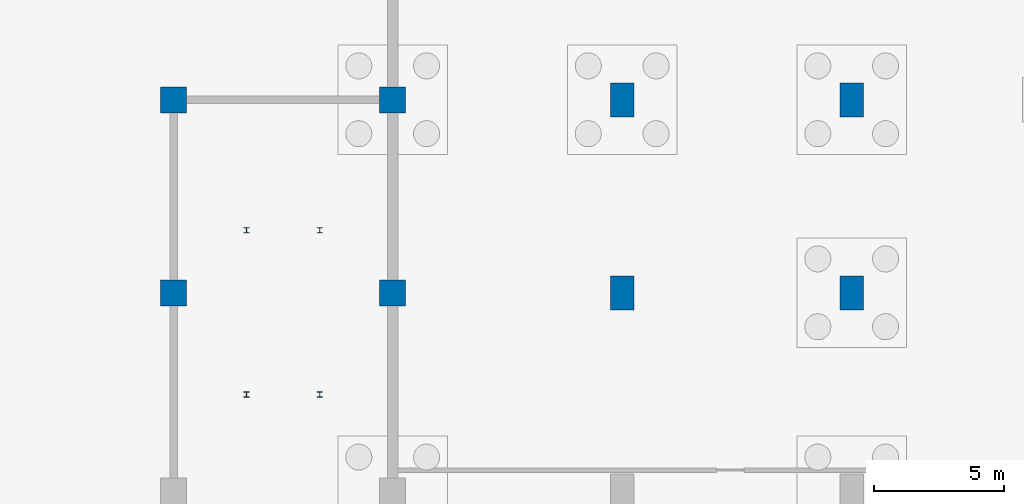
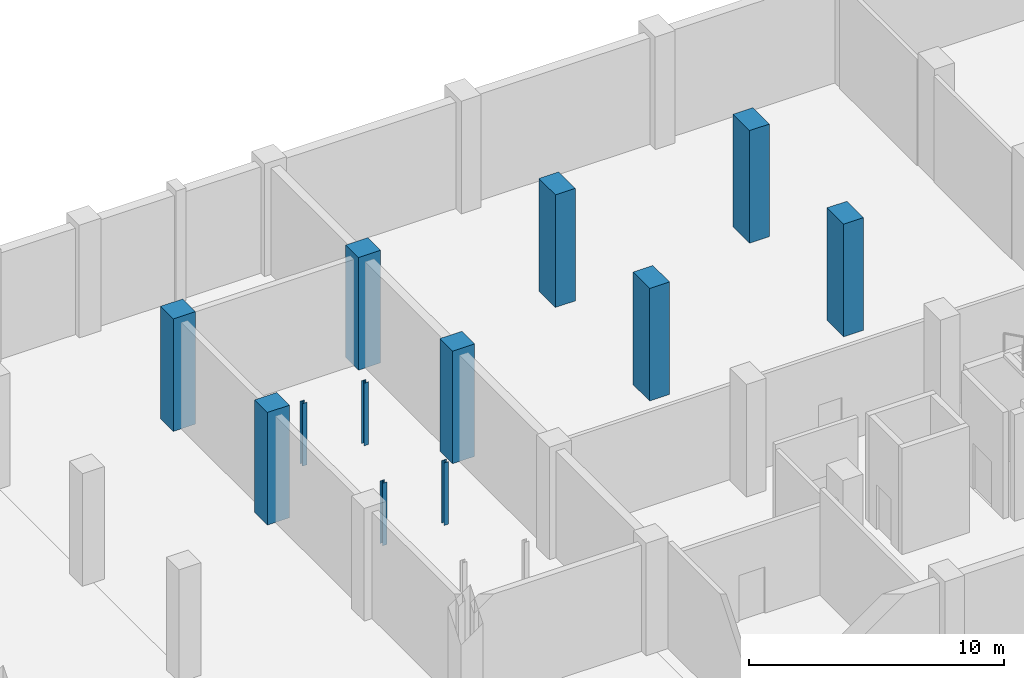
# One storey, part 6 of 20: 12 columns.
"""IFC4 building model written with IfcOpenShell, lengths in metres."""

from ifc_helpers import new_model, si_unit, direction, frame, origin, origin_2d, place, context, subcontext, project, spatial, rectangle, i_section, extrude, material, material_profile, profile_set, type_object, element, save


model = new_model("IFC4")

# Units and contexts
model_context = context("Model", 3, precision=1e-05, world=origin(), true_north=direction((0.0, 1.0)))
body_context = subcontext(model_context, "Body", "Model", "MODEL_VIEW")
ifc_project = project(units=[si_unit("LENGTHUNIT", "METRE"), si_unit("AREAUNIT", "SQUARE_METRE"), si_unit("VOLUMEUNIT", "CUBIC_METRE"), si_unit("PLANEANGLEUNIT", "RADIAN"), si_unit("MASSUNIT", "GRAM", prefix="KILO")], contexts=[model_context])

# Site, building, storey
site_placement = place(None, origin())
site = spatial("IfcSite", under=ifc_project, at=site_placement, CompositionType="ELEMENT")
building_placement = place(site_placement, origin())
building = spatial("IfcBuilding", under=site, at=building_placement, Name="Shengluoqiao Park Theatre", CompositionType="ELEMENT")
storey_placement = place(building_placement, frame((0.0, 0.0, -5.39990234375)))
storey = spatial("IfcBuildingStorey", under=building, at=storey_placement, Name="B1", CompositionType="ELEMENT", Elevation=-5.39990234375)

# Columns
ifc_material_1 = material(Name="Steel Q355", Category="steel")
ifc_material_profile_1 = material_profile(ifc_material_1, i_section(OverallWidth=0.2041015625, OverallDepth=0.199951171875, WebThickness=0.011962890625, FlangeThickness=0.011962890625, FilletRadius=0.012939453125, at=origin_2d()), Name="HW 200x204x12x12")
ifc_profile_set_1 = profile_set([ifc_material_profile_1], Name="Steel Q355")
column_type_1 = type_object("IfcColumnType", Name="STR-COL-C-HW204", PredefinedType="COLUMN", material=ifc_profile_set_1)
for number, where, z_axis, x_axis, name in (
    (1, (80.800048828125, 95.300048828125, 0.0), (0.0, 0.0, 1.0), (1.0, 0.0, 0.0), "Pit Support Column 0886"),
    (2, (80.800048828125, 101.60009765625, 0.0), (0.0, 0.0, 1.0), (1.0, 0.0, 0.0), "Pit Support Column 0887"),
    (3, (83.60009765625, 95.300048828125, 0.0), (0.0, 0.0, 1.0), (1.0, 0.0, 0.0), "Pit Support Column 0889"),
    (4, (83.60009765625, 101.60009765625, 0.0), (0.0, 0.0, 1.0), (1.0, 0.0, 0.0), "Pit Support Column 0890"),
):
    element("IfcColumn", number, at=place(storey_placement, frame(where, z_axis=z_axis, x_axis=x_axis)), inside=storey, type_object=column_type_1, Name=name, PredefinedType="COLUMN", context=body_context, shape_type="SweptSolid", body=[
        extrude(i_section(OverallWidth=0.2041015625, OverallDepth=0.199951171875, WebThickness=0.011962890625, FlangeThickness=0.011962890625, FilletRadius=0.012939453125, at=origin_2d()), origin(), (0.0, 0.0, 1.0), 3.0),
    ])
ifc_material_2 = material(Name="Concrete C50", Category="concrete")
ifc_material_profile_2 = material_profile(ifc_material_2, rectangle(XDim=1.0, YDim=1.0, at=origin_2d()), Name="RC 1000x1000")
ifc_profile_set_2 = profile_set([ifc_material_profile_2], Name="Concrete C50")
column_type_2 = type_object("IfcColumnType", Name="STR-COL-C-RC1000", PredefinedType="COLUMN", material=ifc_profile_set_2)
for number, where, z_axis, x_axis, name in (
    (5, (78.0, 99.199951171875, 0.0), (0.0, 0.0, 1.0), (1.0, 0.0, 0.0), "B1 Column 0398"),
    (6, (78.0, 106.60009765625, 0.0), (0.0, 0.0, 1.0), (1.0, 0.0, 0.0), "B1 Column 0399"),
    (7, (86.39990234375, 99.199951171875, 0.0), (0.0, 0.0, 1.0), (1.0, 0.0, 0.0), "B1 Column 0442"),
    (8, (86.39990234375, 106.60009765625, 0.0), (0.0, 0.0, 1.0), (1.0, 0.0, 0.0), "B1 Column 0443"),
):
    element("IfcColumn", number, at=place(storey_placement, frame(where, z_axis=z_axis, x_axis=x_axis)), inside=storey, type_object=column_type_2, Name=name, PredefinedType="COLUMN", context=body_context, shape_type="SweptSolid", body=[
        extrude(rectangle(XDim=1.0, YDim=1.0, at=origin_2d()), origin(), (0.0, 0.0, 1.0), 5.39990234375),
    ])
ifc_material_profile_3 = material_profile(ifc_material_2, rectangle(XDim=0.89990234375, YDim=1.300048828125, at=origin_2d()), Name="RC 900x1300")
ifc_profile_set_3 = profile_set([ifc_material_profile_3], Name="Concrete C50")
column_type_3 = type_object("IfcColumnType", Name="STR-COL-C-RC9013", PredefinedType="COLUMN", material=ifc_profile_set_3)
for number, where, z_axis, x_axis, name in (
    (9, (95.199951171875, 99.199951171875, 0.0), (0.0, 0.0, 1.0), (1.0, 0.0, 0.0), "B1 Column 0476"),
    (10, (95.199951171875, 106.60009765625, 0.0), (0.0, 0.0, 1.0), (1.0, 0.0, 0.0), "B1 Column 0477"),
    (11, (104.0, 99.199951171875, 0.0), (0.0, 0.0, 1.0), (1.0, 0.0, 0.0), "B1 Column 0516"),
    (12, (104.0, 106.60009765625, 0.0), (0.0, 0.0, 1.0), (1.0, 0.0, 0.0), "B1 Column 0523"),
):
    element("IfcColumn", number, at=place(storey_placement, frame(where, z_axis=z_axis, x_axis=x_axis)), inside=storey, type_object=column_type_3, Name=name, PredefinedType="COLUMN", context=body_context, shape_type="SweptSolid", body=[
        extrude(rectangle(XDim=0.89990234375, YDim=1.300048828125, at=origin_2d()), origin(), (0.0, 0.0, 1.0), 5.39990234375),
    ])

save(model, "model.ifc")
